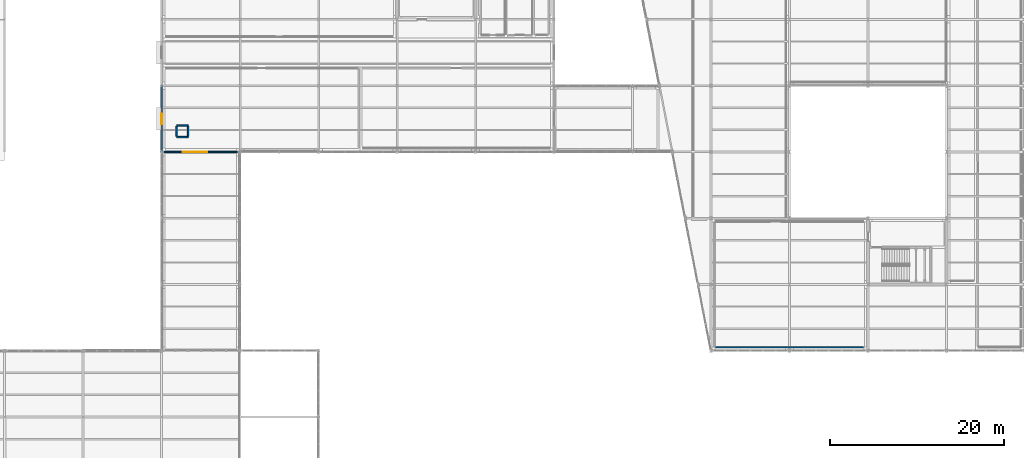
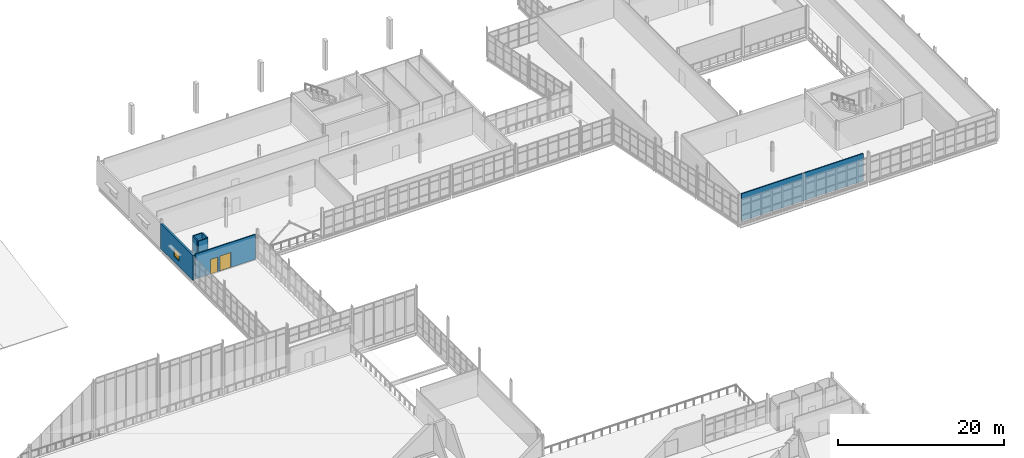
# One storey, part 154 of 166: 7 walls, 2 doors, 1 window, 3 openings.
"""IFC4 building model written with IfcOpenShell, lengths in metres."""

from ifc_helpers import new_model, si_unit, direction, frame, frame_2d, origin, place, context, subcontext, project, spatial, rectangle, extrude, material, layer, layer_set, type_object, element, fill, save


model = new_model("IFC4")

# Units and contexts
model_context = context("Model", 3, precision=1e-05, world=origin(), true_north=direction((0.0, 1.0)))
body_context = subcontext(model_context, "Body", "Model", "MODEL_VIEW")
ifc_project = project(units=[si_unit("LENGTHUNIT", "METRE"), si_unit("AREAUNIT", "SQUARE_METRE"), si_unit("VOLUMEUNIT", "CUBIC_METRE"), si_unit("PLANEANGLEUNIT", "RADIAN"), si_unit("MASSUNIT", "GRAM", prefix="KILO")], contexts=[model_context])

# Site, building, storey
site_placement = place(None, origin())
site = spatial("IfcSite", under=ifc_project, at=site_placement, CompositionType="ELEMENT")
building_placement = place(site_placement, origin())
building = spatial("IfcBuilding", under=site, at=building_placement, Name="Caisbarro Railhouse Central Library", CompositionType="ELEMENT")
storey_placement = place(building_placement, frame((0.0, 0.0, 9.360107421875)))
storey = spatial("IfcBuildingStorey", under=building, at=storey_placement, Name="L02", CompositionType="ELEMENT", Elevation=9.360107421875)

# Wall, opening, window
ifc_material_1 = material(Name="Concrete C35 insulated architectural precast", Category="concrete")
ifc_layer_1 = layer(ifc_material_1, 0.239990234375, Name="Concrete C35 insulated architectural precast")
ifc_layer_set_1 = layer_set([ifc_layer_1], Name="Concrete C35 insulated architectural precast")
wall_type_1 = type_object("IfcWallType", Name="WAL-EW24", PredefinedType="STANDARD", material=ifc_layer_set_1)
wall_1_placement = place(storey_placement, frame((54.0, 83.389892578125, 0.0), z_axis=(0.0, 0.0, 1.0), x_axis=(0.0, 1.0, 0.0)))
wall_1 = element("IfcWall", 1, at=wall_1_placement, inside=storey, type_object=wall_type_1, Name="EW24 exterior wall L02 #249", PredefinedType="STANDARD", context=body_context, shape_type="SweptSolid", body=[
    extrude(rectangle(XDim=7.81005859375, YDim=0.239990234375, at=frame_2d((3.905029296875, 0.0))), origin(), (0.0, 0.0, 1.0), 3.720947265625),
])
opening_1_placement = place(wall_1_placement, frame((3.409912109375, 0.0, 0.85009765625)))
opening_1 = element("IfcOpeningElement", 2, at=opening_1_placement, cuts=wall_1, Name="Opening W03", PredefinedType="OPENING", context=body_context, shape_type="SweptSolid", body=[
    extrude(rectangle(XDim=1.199951171875, YDim=1.199951171875, at=frame_2d((0.60009765625, 0.60009765625))), frame((0.0, 0.1298828125, 0.0), z_axis=(0.0, -1.0, 0.0), x_axis=(1.0, 0.0, 0.0)), (0.0, 0.0, 1.0), 0.260009765625),
])
ifc_material_2 = material(Name="Double low-e laminated solar-control glass", Category="glass")
window_type = type_object("IfcWindowType", Name="WIN-W03", PartitioningType="SINGLE_PANEL", PredefinedType="WINDOW", material=ifc_material_2)
window_placement = place(opening_1_placement, origin())
window = element("IfcWindow", 3, at=window_placement, inside=storey, type_object=window_type, Name="W03 window L02-096", OverallHeight=1.199951171875, OverallWidth=1.199951171875, PartitioningType="SINGLE_PANEL", PredefinedType="WINDOW", context=body_context, shape_type="SweptSolid", body=[
    extrude(rectangle(XDim=1.199951171875, YDim=1.199951171875, at=frame_2d((0.60009765625, 0.60009765625))), frame((0.0, 0.030029296875, 0.0), z_axis=(0.0, -1.0, 0.0), x_axis=(1.0, 0.0, 0.0)), (0.0, 0.0, 1.0), 0.06005859375),
])
fill(opening_1, window)

# Wall, openings, doors
ifc_material_3 = material(Name="Acoustic gypsum board on galvanised steel studs", Category="steel")
ifc_layer_2 = layer(ifc_material_3, 0.14990234375, Name="Acoustic gypsum board on galvanised steel studs")
ifc_layer_set_2 = layer_set([ifc_layer_2], Name="Acoustic gypsum board on galvanised steel studs")
wall_type_2 = type_object("IfcWallType", Name="WAL-IW15", PredefinedType="PARTITIONING", material=ifc_layer_set_2)
wall_2_placement = place(storey_placement, frame((54.300048828125, 83.60009765625, 0.0), z_axis=(0.0, 0.0, 1.0), x_axis=(1.0, 0.0, 0.0)))
wall_2 = element("IfcWall", 4, at=wall_2_placement, inside=storey, type_object=wall_type_2, Name="IW15 partition wall L02 #470", PredefinedType="PARTITIONING", context=body_context, shape_type="SweptSolid", body=[
    extrude(rectangle(XDim=8.39990234375, YDim=0.14990234375, at=frame_2d((4.199951171875, 0.0))), origin(), (0.0, 0.0, 1.0), 3.6708984375),
])
opening_2_placement = place(wall_2_placement, frame((3.39990234375, 0.0, 0.0)))
opening_2 = element("IfcOpeningElement", 5, at=opening_2_placement, cuts=wall_2, Name="Opening FD07", PredefinedType="OPENING", context=body_context, shape_type="SweptSolid", body=[
    extrude(rectangle(XDim=1.550048828125, YDim=2.199951171875, at=frame_2d((0.77490234375, 1.10009765625))), frame((0.0, 0.0849609375, 0.0), z_axis=(0.0, -1.0, 0.0), x_axis=(1.0, 0.0, 0.0)), (0.0, 0.0, 1.0), 0.169921875),
])
opening_3_placement = place(wall_2_placement, frame((2.139892578125, 0.0, 0.0)))
opening_3 = element("IfcOpeningElement", 6, at=opening_3_placement, cuts=wall_2, Name="Opening FD05", PredefinedType="OPENING", context=body_context, shape_type="SweptSolid", body=[
    extrude(rectangle(XDim=1.0, YDim=2.14990234375, at=frame_2d((0.5, 1.074951171875))), frame((0.0, 0.0849609375, 0.0), z_axis=(0.0, -1.0, 0.0), x_axis=(1.0, 0.0, 0.0)), (0.0, 0.0, 1.0), 0.169921875),
])
ifc_material_4 = material(Name="Fire-rated painted galvanised steel", Category="steel")
door_type_1 = type_object("IfcDoorType", Name="DR-FD05", OperationType="NOTDEFINED", PredefinedType="DOOR", material=ifc_material_4)
door_1_placement = place(opening_3_placement, origin())
door_1 = element("IfcDoor", 7, at=door_1_placement, inside=storey, type_object=door_type_1, Name="Language Learning Classroom Door FD05 L02-285", OperationType="SINGLE_SWING_LEFT", OverallHeight=2.14990234375, OverallWidth=1.0, PredefinedType="DOOR", context=body_context, shape_type="SweptSolid", body=[
    extrude(rectangle(XDim=1.0, YDim=2.14990234375, at=frame_2d((0.5, 1.074951171875))), frame((0.0, 0.02490234375, 0.0), z_axis=(0.0, -1.0, 0.0), x_axis=(1.0, 0.0, 0.0)), (0.0, 0.0, 1.0), 0.050048828125),
])
fill(opening_3, door_1)
door_type_2 = type_object("IfcDoorType", Name="DR-FD07", OperationType="NOTDEFINED", PredefinedType="DOOR", material=ifc_material_4)
door_2_placement = place(opening_2_placement, origin())
door_2 = element("IfcDoor", 8, at=door_2_placement, inside=storey, type_object=door_type_2, Name="Bridge North Door FD07 L02-275", OperationType="SINGLE_SWING_LEFT", OverallHeight=2.199951171875, OverallWidth=1.550048828125, PredefinedType="DOOR", context=body_context, shape_type="SweptSolid", body=[
    extrude(rectangle(XDim=1.550048828125, YDim=2.199951171875, at=frame_2d((0.77490234375, 1.10009765625))), frame((0.0, 0.02490234375, 0.0), z_axis=(0.0, -1.0, 0.0), x_axis=(1.0, 0.0, 0.0)), (0.0, 0.0, 1.0), 0.050048828125),
])
fill(opening_2, door_2)

# Walls
wall_3_placement = place(storey_placement, frame((117.52001953125, 61.199951171875, 0.0), z_axis=(0.0, 0.0, 1.0), x_axis=(1.0, 0.0, 0.0)))
element("IfcWall", 9, at=wall_3_placement, inside=storey, type_object=wall_type_2, Name="IW15 partition wall L02 #508", PredefinedType="PARTITIONING", context=body_context, shape_type="SweptSolid", body=[
    extrude(rectangle(XDim=16.9599609375, YDim=0.14990234375, at=frame_2d((8.47998046875, 0.0))), origin(), (0.0, 0.0, 1.0), 4.039794921875),
])
ifc_material_5 = material(Name="Plastered cellular concrete masonry", Category="masonry")
ifc_layer_3 = layer(ifc_material_5, 0.169921875, Name="Plastered cellular concrete masonry")
ifc_layer_set_3 = layer_set([ifc_layer_3], Name="Plastered cellular concrete masonry")
wall_type_3 = type_object("IfcWallType", Name="WAL-IW17", PredefinedType="PARTITIONING", material=ifc_layer_set_3)
wall_4_placement = place(storey_placement, frame((55.7099609375, 85.31005859375, 0.0), z_axis=(0.0, 0.0, 1.0), x_axis=(1.0, 0.0, 0.0)))
element("IfcWall", 10, at=wall_4_placement, inside=storey, type_object=wall_type_3, Name="IW17 partition wall L02 #223", PredefinedType="PARTITIONING", context=body_context, shape_type="SweptSolid", body=[
    extrude(rectangle(XDim=1.340087890625, YDim=0.169921875, at=frame_2d((0.669921875, 0.0))), origin(), (0.0, 0.0, 1.0), 4.039794921875),
])
wall_5_placement = place(storey_placement, frame((57.050048828125, 85.39990234375, 0.0), z_axis=(0.0, 0.0, 1.0), x_axis=(0.0, 1.0, 0.0)))
element("IfcWall", 11, at=wall_5_placement, inside=storey, type_object=wall_type_3, Name="IW17 partition wall L02 #224", PredefinedType="PARTITIONING", context=body_context, shape_type="SweptSolid", body=[
    extrude(rectangle(XDim=1.1201171875, YDim=0.169921875, at=frame_2d((0.56005859375, 0.0))), origin(), (0.0, 0.0, 1.0), 4.039794921875),
])
wall_6_placement = place(storey_placement, frame((57.050048828125, 86.610107421875, 0.0), z_axis=(0.0, 0.0, 1.0), x_axis=(-1.0, 0.0, 0.0)))
element("IfcWall", 12, at=wall_6_placement, inside=storey, type_object=wall_type_3, Name="IW17 partition wall L02 #225", PredefinedType="PARTITIONING", context=body_context, shape_type="SweptSolid", body=[
    extrude(rectangle(XDim=1.340087890625, YDim=0.169921875, at=frame_2d((0.669921875, 0.0))), origin(), (0.0, 0.0, 1.0), 4.039794921875),
])
wall_7_placement = place(storey_placement, frame((55.7099609375, 86.52001953125, 0.0), z_axis=(0.0, 0.0, 1.0), x_axis=(0.0, -1.0, 0.0)))
element("IfcWall", 13, at=wall_7_placement, inside=storey, type_object=wall_type_3, Name="IW17 partition wall L02 #226", PredefinedType="PARTITIONING", context=body_context, shape_type="SweptSolid", body=[
    extrude(rectangle(XDim=1.1201171875, YDim=0.169921875, at=frame_2d((0.56005859375, 0.0))), origin(), (0.0, 0.0, 1.0), 4.039794921875),
])

save(model, "model.ifc")
